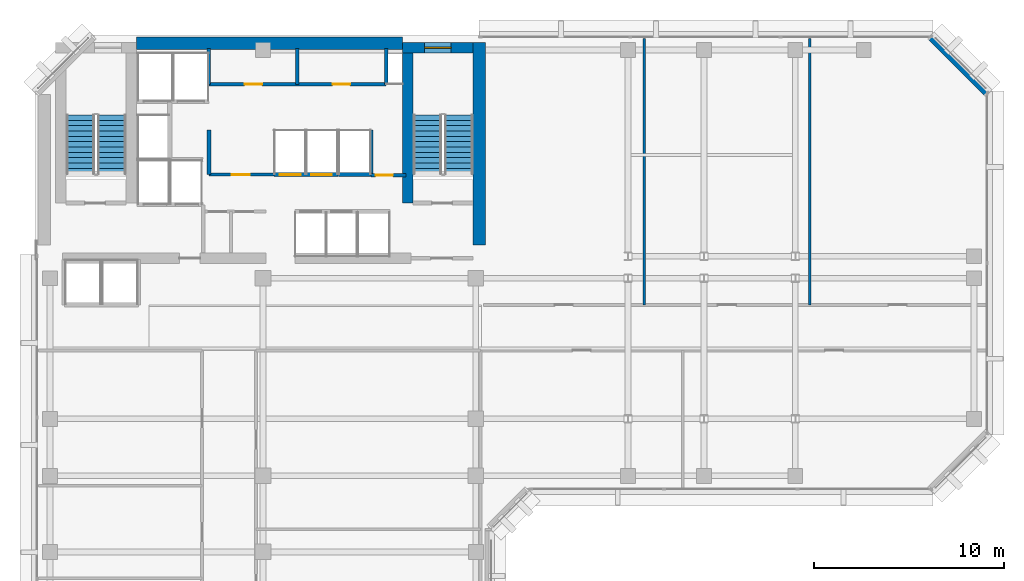
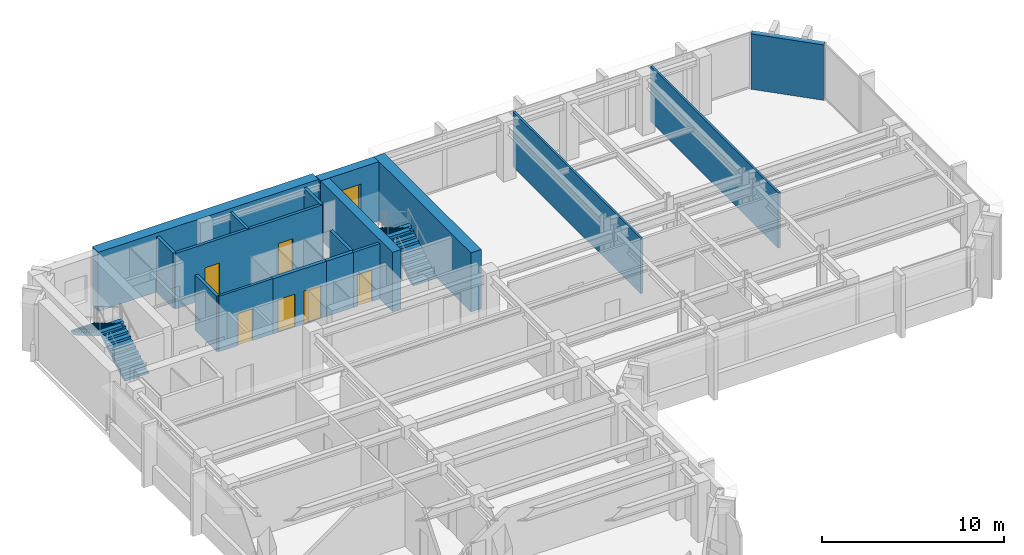
# One storey, part 8 of 12: 17 walls, 6 doors, 4 stair flights, 1 window, 7 openings, 2 elements without a shape of their own.
"""IFC4 building model written with IfcOpenShell, lengths in metres."""

import ifcopenshell
import ifcopenshell.guid

model = None  # the IFC model being written
_history = None  # IfcOwnerHistory: only IFC2X3 demands one
_inside = {}  # id of a spatial element -> (the spatial element, [elements in it])
_under = {}  # id of a project, library or spatial element -> (it, [spatial elements below it])
_declared = {}  # id of a project -> (the project, [libraries it declares])
_typed = {}  # id of a type object -> (the type object, [elements of that type])
_made_of = {}  # id of a material, layer set ... -> (it, [elements and type objects made of it])


def new_model(schema):
    """Start an empty IFC model of exactly this schema.

    Asked for "IFC4X3", IfcOpenShell would pick the latest addendum, in which some entities
    have other attributes; the version numbers below select the first issue.
    IFC2X3 requires an IfcOwnerHistory on every rooted entity: one is made here for all.
    """
    global model, _history
    if schema == "IFC4X3":
        model = ifcopenshell.file(schema_version=(4, 3, 0, 0))
    else:
        model = ifcopenshell.file(schema=schema)
    _inside.clear()
    _under.clear()
    _declared.clear()
    _typed.clear()
    _made_of.clear()
    _history = None
    if model.schema == "IFC2X3":
        org = make("IfcOrganization", Name="unknown")
        user = make(
            "IfcPersonAndOrganization",
            ThePerson=make("IfcPerson", FamilyName="unknown"),
            TheOrganization=org,
        )
        app = make(
            "IfcApplication",
            ApplicationDeveloper=org,
            Version="unknown",
            ApplicationFullName="unknown",
            ApplicationIdentifier="unknown",
        )
        _history = make(
            "IfcOwnerHistory",
            OwningUser=user,
            OwningApplication=app,
            ChangeAction="ADDED",
            CreationDate=0,
        )
    return model


def make(cls, **values):
    """One entity of the class cls with the attributes given. An attribute that is None is left unset."""
    return model.create_entity(
        cls, **{name: value for name, value in values.items() if value is not None}
    )


def rooted(cls, **values):
    """An entity with a GlobalId (a new one), such as an element, a storey or a relation."""
    return make(cls, GlobalId=ifcopenshell.guid.new(), OwnerHistory=_history, **values)


def si_unit(unit_type, name, prefix=None):
    """IfcSIUnit, for example si_unit("LENGTHUNIT", "METRE", prefix="MILLI")."""
    return make("IfcSIUnit", UnitType=unit_type, Prefix=prefix, Name=name)


def assignment(units):
    """IfcUnitAssignment: the units of a project."""
    return None if units is None else make("IfcUnitAssignment", Units=units)


def point(xyz):
    """IfcCartesianPoint."""
    return None if xyz is None else make("IfcCartesianPoint", Coordinates=xyz)


def direction(xyz):
    """IfcDirection."""
    return None if xyz is None else make("IfcDirection", DirectionRatios=xyz)


def frame(location, z_axis=None, x_axis=None):
    """IfcAxis2Placement3D, a coordinate frame: its origin and axes. An axis left out is left unset."""
    return make(
        "IfcAxis2Placement3D",
        Location=point(location),
        Axis=direction(z_axis),
        RefDirection=direction(x_axis),
    )


def frame_2d(location, x_axis=None):
    """IfcAxis2Placement2D, a coordinate frame in the plane: its origin and x axis."""
    return make(
        "IfcAxis2Placement2D", Location=point(location), RefDirection=direction(x_axis)
    )


def origin():
    """The frame at (0, 0, 0) with its axes left unset."""
    return frame((0.0, 0.0, 0.0))


def place(relative_to, where):
    """IfcLocalPlacement: puts the frame where relative to a parent placement (None: the world)."""
    return make(
        "IfcLocalPlacement", PlacementRelTo=relative_to, RelativePlacement=where
    )


def context(
    kind, dimensions, precision=None, world=None, true_north=None, identifier=None
):
    """IfcGeometricRepresentationContext, for example the 3D "Model" context."""
    return make(
        "IfcGeometricRepresentationContext",
        ContextIdentifier=identifier,
        ContextType=kind,
        CoordinateSpaceDimension=dimensions,
        Precision=precision,
        WorldCoordinateSystem=world,
        TrueNorth=true_north,
    )


def subcontext(parent, identifier, kind, view, scale=None):
    """IfcGeometricRepresentationSubContext, for example "Body" below "Model"."""
    return make(
        "IfcGeometricRepresentationSubContext",
        ContextIdentifier=identifier,
        ContextType=kind,
        ParentContext=parent,
        TargetScale=scale,
        TargetView=view,
    )


def project(units=None, contexts=None):
    """IfcProject with its units and contexts."""
    return rooted(
        "IfcProject",
        Name="project",
        RepresentationContexts=contexts,
        UnitsInContext=assignment(units),
    )


def spatial(cls, under=None, at=None, **own):
    """A site, building, storey or space (cls), placed at a placement, below another one or the project."""
    s = rooted(cls, ObjectPlacement=at, **own)
    if under is not None:
        _under.setdefault(under.id(), (under, []))[1].append(s)
    return s


def polyline(points):
    """IfcPolyline through the points."""
    return make("IfcPolyline", Points=[point(p) for p in points])


def profile(cls, at=None, kind="AREA", **sizes):
    """A parametric profile (cls). Its sizes go by their IFC names, for example OverallWidth=200.0."""
    return make(cls, ProfileType=kind, Position=at, **sizes)


def rectangle(**sizes):
    """IfcRectangleProfileDef."""
    return profile("IfcRectangleProfileDef", **sizes)


def outline(outer, holes=None, kind="AREA"):
    """IfcArbitraryClosedProfileDef: a profile drawn as a closed curve; with holes, ...WithVoids."""
    if holes is None:
        return make("IfcArbitraryClosedProfileDef", ProfileType=kind, OuterCurve=outer)
    return make(
        "IfcArbitraryProfileDefWithVoids",
        ProfileType=kind,
        OuterCurve=outer,
        InnerCurves=holes,
    )


def extrude(swept, where, along, depth):
    """IfcExtrudedAreaSolid: the profile swept, set in the frame where, extruded along a direction by depth."""
    return make(
        "IfcExtrudedAreaSolid",
        SweptArea=swept,
        Position=where,
        ExtrudedDirection=direction(along),
        Depth=depth,
    )


def shape(context_of_items, identifier, shape_type, items):
    """IfcShapeRepresentation: the items that make up one representation, for example the "Body"."""
    return make(
        "IfcShapeRepresentation",
        ContextOfItems=context_of_items,
        RepresentationIdentifier=identifier,
        RepresentationType=shape_type,
        Items=items,
    )


def material(Name=None, Category=None):
    """IfcMaterial."""
    return make("IfcMaterial", Name=Name, Category=Category)


def layer(
    of_material, thickness, ventilated=None, Name=None, Category=None, Priority=None
):
    """IfcMaterialLayer: one layer of a wall or slab, of a material (None: an air gap)."""
    return make(
        "IfcMaterialLayer",
        Material=of_material,
        LayerThickness=thickness,
        IsVentilated=ventilated,
        Name=Name,
        Category=Category,
        Priority=Priority,
    )


def layer_set(layers, Name=None):
    """IfcMaterialLayerSet."""
    return make("IfcMaterialLayerSet", MaterialLayers=layers, LayerSetName=Name)


def made_of(thing, what):
    """Note that an element or type object is made of a material, layer set ...; save() writes the relation."""
    if what is not None:
        _made_of.setdefault(what.id(), (what, []))[1].append(thing)
    return thing


def type_object(cls, material=None, **own):
    """A type object (cls), such as IfcWallType, which elements share."""
    return made_of(rooted(cls, **own), material)


def element(
    cls,
    number,
    at=None,
    inside=None,
    cuts=None,
    type_object=None,
    material=None,
    context=None,
    identifier="Body",
    shape_type=None,
    held_by="IfcProductDefinitionShape",
    body=None,
    shapes=None,
    **own,
):
    """One element of the class cls, such as IfcWall. Its Tag is "e" and its number.

    at: its placement. inside: the storey or other place that contains it. cuts: it is an
    opening in that element (IfcRelVoidsElement). A single representation is given by context,
    identifier, shape_type and body (its items); several are given by shapes. held_by: the class
    of the entity that holds the representations. save() writes the other relations.
    """
    e = rooted(cls, Tag="e%d" % number, ObjectPlacement=at, **own)
    if body is not None:
        shapes = [shape(context, identifier, shape_type, body)]
    if shapes is not None:
        e.Representation = make(held_by, Representations=shapes)
    if inside is not None:
        _inside.setdefault(inside.id(), (inside, []))[1].append(e)
    if cuts is not None:
        rooted(
            "IfcRelVoidsElement", RelatingBuildingElement=cuts, RelatedOpeningElement=e
        )
    if type_object is not None:
        _typed.setdefault(type_object.id(), (type_object, []))[1].append(e)
    return made_of(e, material)


def fill(opening, filler):
    """IfcRelFillsElement: the door or window that sits in an opening."""
    return rooted(
        "IfcRelFillsElement",
        RelatingOpeningElement=opening,
        RelatedBuildingElement=filler,
    )


def aggregate(whole, parts):
    """IfcRelAggregates: a whole, such as a stair, and the parts it consists of."""
    return rooted("IfcRelAggregates", RelatingObject=whole, RelatedObjects=parts)


def save(model, path):
    """Write the relations noted so far, then the file.

    IfcRelAggregates (storeys below a building ...), IfcRelContainedInSpatialStructure (elements
    in a storey), IfcRelDefinesByType, IfcRelAssociatesMaterial and IfcRelDeclares: one each for
    every whole, place, type object, material and project.
    """
    for whole, parts in _under.values():
        aggregate(whole, parts)
    for where, things in _inside.values():
        rooted(
            "IfcRelContainedInSpatialStructure",
            RelatedElements=things,
            RelatingStructure=where,
        )
    for kind, things in _typed.values():
        rooted("IfcRelDefinesByType", RelatedObjects=things, RelatingType=kind)
    for what, things in _made_of.values():
        rooted("IfcRelAssociatesMaterial", RelatedObjects=things, RelatingMaterial=what)
    for by, libraries in _declared.values():
        rooted("IfcRelDeclares", RelatingContext=by, RelatedDefinitions=libraries)
    model.write(path)


model = new_model("IFC4")

# Units and contexts
model_context = context("Model", 3, precision=1e-05, world=origin(), true_north=direction((0.0, 1.0)))
body_context = subcontext(model_context, "Body", "Model", "MODEL_VIEW")
ifc_project = project(units=[si_unit("LENGTHUNIT", "METRE"), si_unit("AREAUNIT", "SQUARE_METRE"), si_unit("VOLUMEUNIT", "CUBIC_METRE"), si_unit("PLANEANGLEUNIT", "RADIAN"), si_unit("MASSUNIT", "GRAM", prefix="KILO")], contexts=[model_context])

# Site, building, storey
site_placement = place(None, origin())
site = spatial("IfcSite", under=ifc_project, at=site_placement, CompositionType="ELEMENT")
building_placement = place(site_placement, origin())
building = spatial("IfcBuilding", under=site, at=building_placement, Name="Kefirva Bronze Tower", CompositionType="ELEMENT")
storey_placement = place(building_placement, frame((0.0, 0.0, 207.239990234375)))
storey = spatial("IfcBuildingStorey", under=building, at=storey_placement, Name="L50", CompositionType="ELEMENT", Elevation=207.239990234375)

# Walls
ifc_material_1 = material(Name="Gypsum acoustic partition")
ifc_layer_1 = layer(ifc_material_1, 0.1298828125, Name="Gypsum acoustic partition")
ifc_layer_set_1 = layer_set([ifc_layer_1], Name="Gypsum acoustic partition")
wall_type_1 = type_object("IfcWallType", Name="Acoustic Office Partition 130mm", PredefinedType="PARTITIONING", material=ifc_layer_set_1)
for number, where, z_axis, x_axis, name in (
    (1, (32.05126953125, 31.800048828125, 0.0), (0.0, 0.0, 1.0), (0.0, 1.0, 0.0), "L50 Partition W-L50-END1"),
    (2, (40.7666015625, 31.800048828125, 0.0), (0.0, 0.0, 1.0), (0.0, 1.0, 0.0), "L50 Partition W-L50-END2"),
):
    element("IfcWall", number, at=place(storey_placement, frame(where, z_axis=z_axis, x_axis=x_axis)), inside=storey, type_object=wall_type_1, Name=name, PredefinedType="PARTITIONING", context=body_context, shape_type="SweptSolid", body=[
        extrude(rectangle(XDim=14.010009765625, YDim=0.1298828125, at=frame_2d((7.0048828125, 0.0))), origin(), (0.0, 0.0, 1.0), 3.7099609375),
    ])
ifc_material_2 = material(Name="Gypsum fireboard shaftwall")
ifc_layer_2 = layer(ifc_material_2, 0.219970703125, Name="Gypsum fireboard shaftwall")
ifc_layer_set_2 = layer_set([ifc_layer_2], Name="Gypsum fireboard shaftwall")
wall_type_2 = type_object("IfcWallType", Name="Fire-Rated Shaft Enclosure Wall 220mm", PredefinedType="PARTITIONING", material=ifc_layer_set_2)
for number, where, z_axis, x_axis, name in (
    (3, (9.159912109375, 38.64990234375, 0.0), (0.0, 0.0, 1.0), (0.0, 1.0, 0.0), "L50 Partition W-L50-LP3W"),
    (4, (17.679931640625, 38.64990234375, 0.0), (0.0, 0.0, 1.0), (0.0, 1.0, 0.0), "L50 Partition W-L50-HP2E"),
):
    element("IfcWall", number, at=place(storey_placement, frame(where, z_axis=z_axis, x_axis=x_axis)), inside=storey, type_object=wall_type_2, Name=name, PredefinedType="PARTITIONING", context=body_context, shape_type="SweptSolid", body=[
        extrude(rectangle(XDim=2.35009765625, YDim=0.199951171875, at=frame_2d((1.175048828125, 0.0))), origin(), (0.0, 0.0, 1.0), 3.7099609375),
    ])

# Wall, openings, doors
wall_1_placement = place(storey_placement, frame((12.580078125, 38.64990234375, 0.0), z_axis=(0.0, 0.0, 1.0), x_axis=(1.0, 0.0, 0.0)))
wall_1 = element("IfcWall", 5, at=wall_1_placement, inside=storey, type_object=wall_type_2, Name="L50 Partition W-L50-MPN", PredefinedType="PARTITIONING", context=body_context, shape_type="SweptSolid", body=[
    extrude(rectangle(XDim=3.3798828125, YDim=0.219970703125, at=frame_2d((1.68994140625, 0.0))), origin(), (0.0, 0.0, 1.0), 3.7099609375),
])
opening_1_placement = place(wall_1_placement, frame((0.300048828125, 0.0, 0.0)))
opening_1 = element("IfcOpeningElement", 6, at=opening_1_placement, cuts=wall_1, Name="Opening L50-LD-MP3", PredefinedType="OPENING", context=body_context, shape_type="SweptSolid", body=[
    extrude(rectangle(XDim=1.10009765625, YDim=2.199951171875, at=frame_2d((0.550048828125, 1.10009765625))), frame((0.0, 0.1201171875, 0.0), z_axis=(0.0, -1.0, 0.0), x_axis=(1.0, 0.0, 0.0)), (0.0, 0.0, 1.0), 0.239990234375),
])
opening_2_placement = place(wall_1_placement, frame((1.949951171875, 0.0, 0.0)))
opening_2 = element("IfcOpeningElement", 7, at=opening_2_placement, cuts=wall_1, Name="Opening L50-LD-MP4", PredefinedType="OPENING", context=body_context, shape_type="SweptSolid", body=[
    extrude(rectangle(XDim=1.10009765625, YDim=2.199951171875, at=frame_2d((0.550048828125, 1.10009765625))), frame((0.0, 0.1201171875, 0.0), z_axis=(0.0, -1.0, 0.0), x_axis=(1.0, 0.0, 0.0)), (0.0, 0.0, 1.0), 0.239990234375),
])
ifc_material_3 = material(Name="Stainless steel 316", Category="steel")
door_type_1 = type_object("IfcDoorType", Name="Passenger Lift Sliding Landing Door 1100x2200", OperationType="SLIDING_TO_LEFT", PredefinedType="DOOR", material=ifc_material_3)
door_1_placement = place(opening_1_placement, origin())
door_1 = element("IfcDoor", 8, at=door_1_placement, inside=storey, type_object=door_type_1, Name="Door L50-LD-MP3", OperationType="SLIDING_TO_RIGHT", OverallHeight=2.199951171875, OverallWidth=1.10009765625, PredefinedType="DOOR", context=body_context, shape_type="SweptSolid", body=[
    extrude(rectangle(XDim=1.10009765625, YDim=2.199951171875, at=frame_2d((0.550048828125, 1.10009765625))), frame((0.0, 0.02490234375, 0.0), z_axis=(0.0, -1.0, 0.0), x_axis=(1.0, 0.0, 0.0)), (0.0, 0.0, 1.0), 0.050048828125),
])
fill(opening_1, door_1)
door_2_placement = place(opening_2_placement, origin())
door_2 = element("IfcDoor", 9, at=door_2_placement, inside=storey, type_object=door_type_1, Name="Door L50-LD-MP4", OperationType="SLIDING_TO_RIGHT", OverallHeight=2.199951171875, OverallWidth=1.10009765625, PredefinedType="DOOR", context=body_context, shape_type="SweptSolid", body=[
    extrude(rectangle(XDim=1.10009765625, YDim=2.199951171875, at=frame_2d((0.550048828125, 1.10009765625))), frame((0.0, 0.02490234375, 0.0), z_axis=(0.0, -1.0, 0.0), x_axis=(1.0, 0.0, 0.0)), (0.0, 0.0, 1.0), 0.050048828125),
])
fill(opening_2, door_2)

# Wall
wall_2_placement = place(storey_placement, frame((15.97998046875, 38.64990234375, 0.0), z_axis=(0.0, 0.0, 1.0), x_axis=(1.0, 0.0, 0.0)))
element("IfcWall", 10, at=wall_2_placement, inside=storey, type_object=wall_type_2, Name="L50 Partition W-L50-HPN", PredefinedType="PARTITIONING", context=body_context, shape_type="SweptSolid", body=[
    extrude(rectangle(XDim=1.719970703125, YDim=0.219970703125, at=frame_2d((0.85986328125, 0.0))), origin(), (0.0, 0.0, 1.0), 3.7099609375),
])

# Wall, opening, door
ifc_material_4 = material(Name="Gypsum fireboard barrier")
ifc_layer_3 = layer(ifc_material_4, 0.199951171875, Name="Gypsum fireboard barrier")
ifc_layer_set_3 = layer_set([ifc_layer_3], Name="Gypsum fireboard barrier")
wall_type_3 = type_object("IfcWallType", Name="Firefighting Lobby Barrier Wall 200mm", PredefinedType="PARTITIONING", material=ifc_layer_set_3)
wall_3_placement = place(storey_placement, frame((17.679931640625, 38.6201171875, 0.0), z_axis=(0.0, 0.0, 1.0), x_axis=(1.0, 0.0, 0.0)))
wall_3 = element("IfcWall", 11, at=wall_3_placement, inside=storey, type_object=wall_type_3, Name="L50 Partition W-L50-CPASS", PredefinedType="PARTITIONING", context=body_context, shape_type="SweptSolid", body=[
    extrude(rectangle(XDim=1.840087890625, YDim=0.179931640625, at=frame_2d((0.919921875, 0.0))), origin(), (0.0, 0.0, 1.0), 3.7099609375),
])
opening_3_placement = place(wall_3_placement, frame((0.239990234375, 0.0, 0.0)))
opening_3 = element("IfcOpeningElement", 12, at=opening_3_placement, cuts=wall_3, Name="Opening L50-D-CPAS", PredefinedType="OPENING", context=body_context, shape_type="SweptSolid", body=[
    extrude(rectangle(XDim=0.919921875, YDim=2.10009765625, at=frame_2d((0.4599609375, 1.050048828125))), frame((0.0, 0.10009765625, 0.0), z_axis=(0.0, -1.0, 0.0), x_axis=(1.0, 0.0, 0.0)), (0.0, 0.0, 1.0), 0.199951171875),
])
ifc_material_5 = material(Name="Moisture-resistant timber", Category="wood")
door_type_2 = type_object("IfcDoorType", Name="Accessible Sanitary & WC Door 920x2100", OperationType="NOTDEFINED", PredefinedType="DOOR", material=ifc_material_5)
door_3_placement = place(opening_3_placement, origin())
door_3 = element("IfcDoor", 13, at=door_3_placement, inside=storey, type_object=door_type_2, Name="Door L50-D-CPAS", OperationType="SINGLE_SWING_RIGHT", OverallHeight=2.10009765625, OverallWidth=0.919921875, PredefinedType="DOOR", context=body_context, shape_type="SweptSolid", body=[
    extrude(rectangle(XDim=0.919921875, YDim=2.10009765625, at=frame_2d((0.4599609375, 1.050048828125))), frame((0.0, 0.02490234375, 0.0), z_axis=(0.0, -1.0, 0.0), x_axis=(1.0, 0.0, 0.0)), (0.0, 0.0, 1.0), 0.050048828125),
])
fill(opening_3, door_3)

# Wall
ifc_material_6 = material(Name="Precast concrete C40/50", Category="concrete")
ifc_layer_4 = layer(ifc_material_6, 0.320068359375, Name="Precast concrete C40/50")
ifc_layer_set_4 = layer_set([ifc_layer_4], Name="Precast concrete C40/50")
wall_type_4 = type_object("IfcWallType", Name="Precast Insulated Exterior Wall 320mm", PredefinedType="SOLIDWALL", material=ifc_layer_set_4)
wall_4_placement = place(storey_placement, frame((50.048095703125, 42.92578125, 0.0), z_axis=(0.0, 0.0, 1.0), x_axis=(-0.707136318428, 0.707077242712, 0.0)))
element("IfcWall", 14, at=wall_4_placement, inside=storey, type_object=wall_type_4, Name="L50 Exterior Facade Wall 5", PredefinedType="SOLIDWALL", context=body_context, shape_type="SweptSolid", body=[
    extrude(rectangle(XDim=4.132568359375, YDim=0.320068359375, at=frame_2d((2.06640625, 0.0))), origin(), (0.0, 0.0, 1.0), 3.7099609375),
])

# Wall, opening, door
ifc_layer_5 = layer(ifc_material_1, 0.159912109375, Name="Gypsum acoustic partition")
ifc_layer_set_5 = layer_set([ifc_layer_5], Name="Gypsum acoustic partition")
wall_type_5 = type_object("IfcWallType", Name="Protected Corridor Partition 160mm", PredefinedType="PARTITIONING", material=ifc_layer_set_5)
wall_5_placement = place(storey_placement, frame((9.159912109375, 38.64990234375, 0.0), z_axis=(0.0, 0.0, 1.0), x_axis=(1.0, 0.0, 0.0)))
wall_5 = element("IfcWall", 15, at=wall_5_placement, inside=storey, type_object=wall_type_5, Name="L50 Partition W-L50-RECLP2", PredefinedType="PARTITIONING", context=body_context, shape_type="SweptSolid", body=[
    extrude(rectangle(XDim=3.420166015625, YDim=0.159912109375, at=frame_2d((1.7099609375, 0.0))), origin(), (0.0, 0.0, 1.0), 3.7099609375),
])
opening_4_placement = place(wall_5_placement, frame((2.14990234375, 0.0, 0.0), z_axis=(0.0, 0.0, 1.0), x_axis=(-1.0, 0.0, 0.0)))
opening_4 = element("IfcOpeningElement", 16, at=opening_4_placement, cuts=wall_5, Name="Opening L50-D-RECLP2", PredefinedType="OPENING", context=body_context, shape_type="SweptSolid", body=[
    extrude(rectangle(XDim=0.949951171875, YDim=2.14990234375, at=frame_2d((0.47509765625, 1.074951171875))), frame((0.0, 0.08984375, 0.0), z_axis=(0.0, -1.0, 0.0), x_axis=(1.0, 0.0, 0.0)), (0.0, 0.0, 1.0), 0.179931640625),
])
ifc_material_7 = material(Name="Acoustic hardwood oak", Category="wood")
door_type_3 = type_object("IfcDoorType", Name="Office & Meeting Room Door 950x2150", OperationType="NOTDEFINED", PredefinedType="DOOR", material=ifc_material_7)
door_4_placement = place(opening_4_placement, origin())
door_4 = element("IfcDoor", 17, at=door_4_placement, inside=storey, type_object=door_type_3, Name="Door L50-D-RECLP2", OperationType="SINGLE_SWING_LEFT", OverallHeight=2.14990234375, OverallWidth=0.949951171875, PredefinedType="DOOR", context=body_context, shape_type="SweptSolid", body=[
    extrude(rectangle(XDim=0.949951171875, YDim=2.14990234375, at=frame_2d((0.47509765625, 1.074951171875))), frame((0.0, 0.02490234375, 0.0), z_axis=(0.0, -1.0, 0.0), x_axis=(1.0, 0.0, 0.0)), (0.0, 0.0, 1.0), 0.050048828125),
])
fill(opening_4, door_4)

# Wall, opening, window
ifc_material_8 = material(Name="Concrete C50/60", Category="concrete")
ifc_layer_6 = layer(ifc_material_8, 0.550048828125, Name="Concrete C50/60")
ifc_layer_set_6 = layer_set([ifc_layer_6], Name="Concrete C50/60")
wall_type_6 = type_object("IfcWallType", Name="RC Rear Core Exterior Wall 550mm", PredefinedType="SHEAR", material=ifc_layer_set_6)
wall_6_placement = place(storey_placement, frame((19.35009765625, 45.320068359375, 0.0), z_axis=(0.0, 0.0, 1.0), x_axis=(1.0, 0.0, 0.0)))
wall_6 = element("IfcWall", 18, at=wall_6_placement, inside=storey, type_object=wall_type_6, Name="L50 Stair 2 North Shear Wall", PredefinedType="SHEAR", context=body_context, shape_type="SweptSolid", body=[
    extrude(rectangle(XDim=3.68994140625, YDim=0.550048828125, at=frame_2d((1.844970703125, 0.0))), origin(), (0.0, 0.0, 1.0), 3.9599609375),
])
opening_5_placement = place(wall_6_placement, frame((1.14990234375, 0.0, 1.050048828125)))
opening_5 = element("IfcOpeningElement", 19, at=opening_5_placement, cuts=wall_6, Name="Opening WN-03", PredefinedType="OPENING", context=body_context, shape_type="SweptSolid", body=[
    extrude(rectangle(XDim=1.39990234375, YDim=1.800048828125, at=frame_2d((0.699951171875, 0.89990234375))), frame((0.0, 0.28515625, 0.0), z_axis=(0.0, -1.0, 0.0), x_axis=(1.0, 0.0, 0.0)), (0.0, 0.0, 1.0), 0.570068359375),
])
ifc_material_9 = material(Name="Laminated low-E double glazing", Category="glass")
window_type = type_object("IfcWindowType", Name="Rear-Core Stair Daylight Window 1400x1800", PartitioningType="SINGLE_PANEL", PredefinedType="WINDOW", material=ifc_material_9)
window_placement = place(opening_5_placement, origin())
window = element("IfcWindow", 20, at=window_placement, inside=storey, type_object=window_type, Name="L50 Stair 2 Daylight Window", OverallHeight=1.800048828125, OverallWidth=1.39990234375, PartitioningType="SINGLE_PANEL", PredefinedType="WINDOW", context=body_context, shape_type="SweptSolid", body=[
    extrude(rectangle(XDim=1.39990234375, YDim=1.800048828125, at=frame_2d((0.699951171875, 0.89990234375))), frame((0.0, 0.030029296875, 0.0), z_axis=(0.0, -1.0, 0.0), x_axis=(1.0, 0.0, 0.0)), (0.0, 0.0, 1.0), 0.06005859375),
])
fill(opening_5, window)

# Walls
ifc_layer_7 = layer(ifc_material_8, 0.64990234375, Name="Concrete C50/60")
ifc_layer_set_7 = layer_set([ifc_layer_7], Name="Concrete C50/60")
wall_type_7 = type_object("IfcWallType", Name="RC Rear Core Exterior Wall 650mm", PredefinedType="SHEAR", material=ifc_layer_set_7)
wall_7_placement = place(storey_placement, frame((5.360107421875, 45.550048828125, 0.0), z_axis=(0.0, 0.0, 1.0), x_axis=(1.0, 0.0, 0.0)))
element("IfcWall", 21, at=wall_7_placement, inside=storey, type_object=wall_type_7, Name="L50 Rear Core North Shear Wall", PredefinedType="SHEAR", context=body_context, shape_type="SweptSolid", body=[
    extrude(rectangle(XDim=13.97998046875, YDim=0.64990234375, at=frame_2d((6.989990234375, 0.0))), origin(), (0.0, 0.0, 1.0), 3.9599609375),
])
ifc_layer_8 = layer(ifc_material_8, 0.550048828125, Name="Concrete C50/60")
ifc_layer_set_8 = layer_set([ifc_layer_8], Name="Concrete C50/60")
wall_type_8 = type_object("IfcWallType", Name="RC Rear Core Interior Wall 550mm", PredefinedType="SHEAR", material=ifc_layer_set_8)
wall_8_placement = place(storey_placement, frame((19.6201171875, 37.14990234375, 0.0), z_axis=(0.0, 0.0, 1.0), x_axis=(0.0, 1.0, 0.0)))
element("IfcWall", 22, at=wall_8_placement, inside=storey, type_object=wall_type_8, Name="L50 Stair 2 West Shear Wall", PredefinedType="SHEAR", context=body_context, shape_type="SweptSolid", body=[
    extrude(rectangle(XDim=7.89013671875, YDim=0.550048828125, at=frame_2d((3.945068359375, 0.0))), origin(), (0.0, 0.0, 1.0), 3.9599609375),
])
ifc_layer_9 = layer(ifc_material_8, 0.64990234375, Name="Concrete C50/60")
ifc_layer_set_9 = layer_set([ifc_layer_9], Name="Concrete C50/60")
wall_type_9 = type_object("IfcWallType", Name="RC Rear Core Interior Wall 650mm", PredefinedType="SHEAR", material=ifc_layer_set_9)
wall_9_placement = place(storey_placement, frame((23.375, 34.949951171875, 0.0), z_axis=(0.0, 0.0, 1.0), x_axis=(0.0, 1.0, 0.0)))
element("IfcWall", 23, at=wall_9_placement, inside=storey, type_object=wall_type_9, Name="L50 Rear Core East Shear Wall", PredefinedType="SHEAR", context=body_context, shape_type="SweptSolid", body=[
    extrude(rectangle(XDim=10.64013671875, YDim=0.64990234375, at=frame_2d((5.320068359375, 0.0))), origin(), (0.0, 0.0, 1.0), 3.9599609375),
])

# Wall, openings, doors
ifc_material_10 = material(Name="Moisture-resistant partition")
ifc_layer_10 = layer(ifc_material_10, 0.179931640625, Name="Moisture-resistant partition")
ifc_layer_set_10 = layer_set([ifc_layer_10], Name="Moisture-resistant partition")
wall_type_10 = type_object("IfcWallType", Name="Sanitary Plumbing Chase Wall 180mm", PredefinedType="PLUMBINGWALL", material=ifc_layer_set_10)
wall_10_placement = place(storey_placement, frame((9.14990234375, 43.39990234375, 0.0), z_axis=(0.0, 0.0, 1.0), x_axis=(1.0, 0.0, 0.0)))
wall_10 = element("IfcWall", 24, at=wall_10_placement, inside=storey, type_object=wall_type_10, Name="L50 Partition W-L50-SVCS", PredefinedType="PLUMBINGWALL", context=body_context, shape_type="SweptSolid", body=[
    extrude(rectangle(XDim=9.330078125, YDim=0.179931640625, at=frame_2d((4.6650390625, 0.0))), origin(), (0.0, 0.0, 1.0), 3.7099609375),
])
opening_6_placement = place(wall_10_placement, frame((1.8798828125, 0.0, 0.0)))
opening_6 = element("IfcOpeningElement", 25, at=opening_6_placement, cuts=wall_10, Name="Opening L50-D-CSVC1", PredefinedType="OPENING", context=body_context, shape_type="SweptSolid", body=[
    extrude(rectangle(XDim=0.919921875, YDim=2.10009765625, at=frame_2d((0.4599609375, 1.050048828125))), frame((0.0, 0.10009765625, 0.0), z_axis=(0.0, -1.0, 0.0), x_axis=(1.0, 0.0, 0.0)), (0.0, 0.0, 1.0), 0.199951171875),
])
opening_7_placement = place(wall_10_placement, frame((6.514892578125, 0.0, 0.0)))
opening_7 = element("IfcOpeningElement", 26, at=opening_7_placement, cuts=wall_10, Name="Opening L50-D-CSVC2", PredefinedType="OPENING", context=body_context, shape_type="SweptSolid", body=[
    extrude(rectangle(XDim=0.919921875, YDim=2.10009765625, at=frame_2d((0.4599609375, 1.050048828125))), frame((0.0, 0.10009765625, 0.0), z_axis=(0.0, -1.0, 0.0), x_axis=(1.0, 0.0, 0.0)), (0.0, 0.0, 1.0), 0.199951171875),
])
door_5_placement = place(opening_6_placement, origin())
door_5 = element("IfcDoor", 27, at=door_5_placement, inside=storey, type_object=door_type_2, Name="Door L50-D-CSVC1", OperationType="SINGLE_SWING_RIGHT", OverallHeight=2.10009765625, OverallWidth=0.919921875, PredefinedType="DOOR", context=body_context, shape_type="SweptSolid", body=[
    extrude(rectangle(XDim=0.919921875, YDim=2.10009765625, at=frame_2d((0.4599609375, 1.050048828125))), frame((0.0, 0.02490234375, 0.0), z_axis=(0.0, -1.0, 0.0), x_axis=(1.0, 0.0, 0.0)), (0.0, 0.0, 1.0), 0.050048828125),
])
fill(opening_6, door_5)
door_6_placement = place(opening_7_placement, origin())
door_6 = element("IfcDoor", 28, at=door_6_placement, inside=storey, type_object=door_type_2, Name="Door L50-D-CSVC2", OperationType="SINGLE_SWING_LEFT", OverallHeight=2.10009765625, OverallWidth=0.919921875, PredefinedType="DOOR", context=body_context, shape_type="SweptSolid", body=[
    extrude(rectangle(XDim=0.919921875, YDim=2.10009765625, at=frame_2d((0.4599609375, 1.050048828125))), frame((0.0, 0.02490234375, 0.0), z_axis=(0.0, -1.0, 0.0), x_axis=(1.0, 0.0, 0.0)), (0.0, 0.0, 1.0), 0.050048828125),
])
fill(opening_7, door_6)

# Walls
for number, where, z_axis, x_axis, name in (
    (29, (9.14990234375, 43.39990234375, 0.0), (0.0, 0.0, 1.0), (0.0, 1.0, 0.0), "L50 Partition W-L50-SVCW"),
    (30, (18.47998046875, 43.39990234375, 0.0), (0.0, 0.0, 1.0), (0.0, 1.0, 0.0), "L50 Partition W-L50-SVCE"),
    (31, (13.800048828125, 43.39990234375, 0.0), (0.0, 0.0, 1.0), (0.0, 1.0, 0.0), "L50 Partition W-L50-CSVD-1"),
):
    element("IfcWall", number, at=place(storey_placement, frame(where, z_axis=z_axis, x_axis=x_axis)), inside=storey, type_object=wall_type_10, Name=name, PredefinedType="PLUMBINGWALL", context=body_context, shape_type="SweptSolid", body=[
        extrude(rectangle(XDim=1.880126953125, YDim=0.179931640625, at=frame_2d((0.93994140625, 0.0))), origin(), (0.0, 0.0, 1.0), 3.7099609375),
    ])

# Stair, stair flights
ifc_material_11 = material(Name="Concrete C40/50", Category="concrete")
stair_type = type_object("IfcStairType", Name="RC Dogleg Protected Stair 24R", PredefinedType="HALF_TURN_STAIR", material=ifc_material_11)
stair_1_placement = place(storey_placement, origin())
stair_1 = element("IfcStair", 32, at=stair_1_placement, inside=storey, type_object=stair_type, Name="L50 Protected Exit Stair 1", PredefinedType="HALF_TURN_STAIR")
stair_flight_type = type_object("IfcStairFlightType", Name="RC Straight Stair Flight 24R", PredefinedType="STRAIGHT", material=ifc_material_11)
stair_flight_1_placement = place(storey_placement, frame((4.050048828125, 38.699951171875, 0.0), z_axis=(0.0, 0.0, 1.0), x_axis=(0.0, 1.0, 0.0)))
stair_flight_1 = element("IfcStairFlight", 33, at=stair_flight_1_placement, type_object=stair_flight_type, Name="ST-1 flight 1", NumberOfRisers=12, NumberOfTreads=11, PredefinedType="STRAIGHT", RiserHeight=0.165, TreadLength=0.28, context=body_context, shape_type="SweptSolid", body=[
    extrude(outline(polyline([(0.0, 0.0), (0.0, 0.1650390625), (0.280029296875, 0.1650390625), (0.280029296875, 0.330078125), (0.56005859375, 0.330078125), (0.56005859375, 0.4951171875), (0.840087890625, 0.4951171875), (0.840087890625, 0.659912109375), (1.1201171875, 0.659912109375), (1.1201171875, 0.824951171875), (1.39990234375, 0.824951171875), (1.39990234375, 0.989990234375), (1.679931640625, 0.989990234375), (1.679931640625, 1.155029296875), (1.9599609375, 1.155029296875), (1.9599609375, 1.320068359375), (2.239990234375, 1.320068359375), (2.239990234375, 1.485107421875), (2.52001953125, 1.485107421875), (2.52001953125, 1.64990234375), (2.800048828125, 1.64990234375), (2.800048828125, 1.81494140625), (3.080078125, 1.81494140625), (3.080078125, 1.97998046875), (3.080078125, 1.64111328125), (0.295166015625, 0.0), (0.0, 0.0)])), frame((0.0, 0.75, 0.0), z_axis=(0.0, -1.0, 0.0), x_axis=(1.0, 0.0, 0.0)), (0.0, 0.0, 1.0), 1.5),
])
stair_flight_2_placement = place(storey_placement, frame((2.39990234375, 41.780029296875, 1.97998046875), z_axis=(0.0, 0.0, 1.0), x_axis=(0.0, -1.0, 0.0)))
stair_flight_2 = element("IfcStairFlight", 34, at=stair_flight_2_placement, type_object=stair_flight_type, Name="ST-1 flight 2", NumberOfRisers=12, NumberOfTreads=11, PredefinedType="STRAIGHT", RiserHeight=0.165, TreadLength=0.28, context=body_context, shape_type="SweptSolid", body=[
    extrude(outline(polyline([(0.0, 0.0), (0.0, 0.1650390625), (0.280029296875, 0.1650390625), (0.280029296875, 0.330078125), (0.56005859375, 0.330078125), (0.56005859375, 0.4951171875), (0.840087890625, 0.4951171875), (0.840087890625, 0.659912109375), (1.1201171875, 0.659912109375), (1.1201171875, 0.824951171875), (1.39990234375, 0.824951171875), (1.39990234375, 0.989990234375), (1.679931640625, 0.989990234375), (1.679931640625, 1.155029296875), (1.9599609375, 1.155029296875), (1.9599609375, 1.320068359375), (2.239990234375, 1.320068359375), (2.239990234375, 1.485107421875), (2.52001953125, 1.485107421875), (2.52001953125, 1.64990234375), (2.800048828125, 1.64990234375), (2.800048828125, 1.81494140625), (3.080078125, 1.81494140625), (3.080078125, 1.97998046875), (3.080078125, 1.64111328125), (0.295166015625, 0.0), (0.0, 0.0)])), frame((0.0, 0.75, 0.0), z_axis=(0.0, -1.0, 0.0), x_axis=(1.0, 0.0, 0.0)), (0.0, 0.0, 1.0), 1.5),
])
aggregate(stair_1, [stair_flight_1, stair_flight_2])

stair_2_placement = place(storey_placement, origin())
stair_2 = element("IfcStair", 35, at=stair_2_placement, inside=storey, type_object=stair_type, Name="L50 Protected Exit Stair 2", PredefinedType="HALF_TURN_STAIR")
stair_flight_3_placement = place(storey_placement, frame((22.300048828125, 38.699951171875, 0.0), z_axis=(0.0, 0.0, 1.0), x_axis=(0.0, 1.0, 0.0)))
stair_flight_3 = element("IfcStairFlight", 36, at=stair_flight_3_placement, type_object=stair_flight_type, Name="ST-2 flight 1", NumberOfRisers=12, NumberOfTreads=11, PredefinedType="STRAIGHT", RiserHeight=0.165, TreadLength=0.28, context=body_context, shape_type="SweptSolid", body=[
    extrude(outline(polyline([(0.0, 0.0), (0.0, 0.1650390625), (0.280029296875, 0.1650390625), (0.280029296875, 0.330078125), (0.56005859375, 0.330078125), (0.56005859375, 0.4951171875), (0.840087890625, 0.4951171875), (0.840087890625, 0.659912109375), (1.1201171875, 0.659912109375), (1.1201171875, 0.824951171875), (1.39990234375, 0.824951171875), (1.39990234375, 0.989990234375), (1.679931640625, 0.989990234375), (1.679931640625, 1.155029296875), (1.9599609375, 1.155029296875), (1.9599609375, 1.320068359375), (2.239990234375, 1.320068359375), (2.239990234375, 1.485107421875), (2.52001953125, 1.485107421875), (2.52001953125, 1.64990234375), (2.800048828125, 1.64990234375), (2.800048828125, 1.81494140625), (3.080078125, 1.81494140625), (3.080078125, 1.97998046875), (3.080078125, 1.64111328125), (0.295166015625, 0.0), (0.0, 0.0)])), frame((0.0, 0.75, 0.0), z_axis=(0.0, -1.0, 0.0), x_axis=(1.0, 0.0, 0.0)), (0.0, 0.0, 1.0), 1.5),
])
stair_flight_4_placement = place(storey_placement, frame((20.64990234375, 41.780029296875, 1.97998046875), z_axis=(0.0, 0.0, 1.0), x_axis=(0.0, -1.0, 0.0)))
stair_flight_4 = element("IfcStairFlight", 37, at=stair_flight_4_placement, type_object=stair_flight_type, Name="ST-2 flight 2", NumberOfRisers=12, NumberOfTreads=11, PredefinedType="STRAIGHT", RiserHeight=0.165, TreadLength=0.28, context=body_context, shape_type="SweptSolid", body=[
    extrude(outline(polyline([(0.0, 0.0), (0.0, 0.1650390625), (0.280029296875, 0.1650390625), (0.280029296875, 0.330078125), (0.56005859375, 0.330078125), (0.56005859375, 0.4951171875), (0.840087890625, 0.4951171875), (0.840087890625, 0.659912109375), (1.1201171875, 0.659912109375), (1.1201171875, 0.824951171875), (1.39990234375, 0.824951171875), (1.39990234375, 0.989990234375), (1.679931640625, 0.989990234375), (1.679931640625, 1.155029296875), (1.9599609375, 1.155029296875), (1.9599609375, 1.320068359375), (2.239990234375, 1.320068359375), (2.239990234375, 1.485107421875), (2.52001953125, 1.485107421875), (2.52001953125, 1.64990234375), (2.800048828125, 1.64990234375), (2.800048828125, 1.81494140625), (3.080078125, 1.81494140625), (3.080078125, 1.97998046875), (3.080078125, 1.64111328125), (0.295166015625, 0.0), (0.0, 0.0)])), frame((0.0, 0.75, 0.0), z_axis=(0.0, -1.0, 0.0), x_axis=(1.0, 0.0, 0.0)), (0.0, 0.0, 1.0), 1.5),
])
aggregate(stair_2, [stair_flight_3, stair_flight_4])

save(model, "model.ifc")
